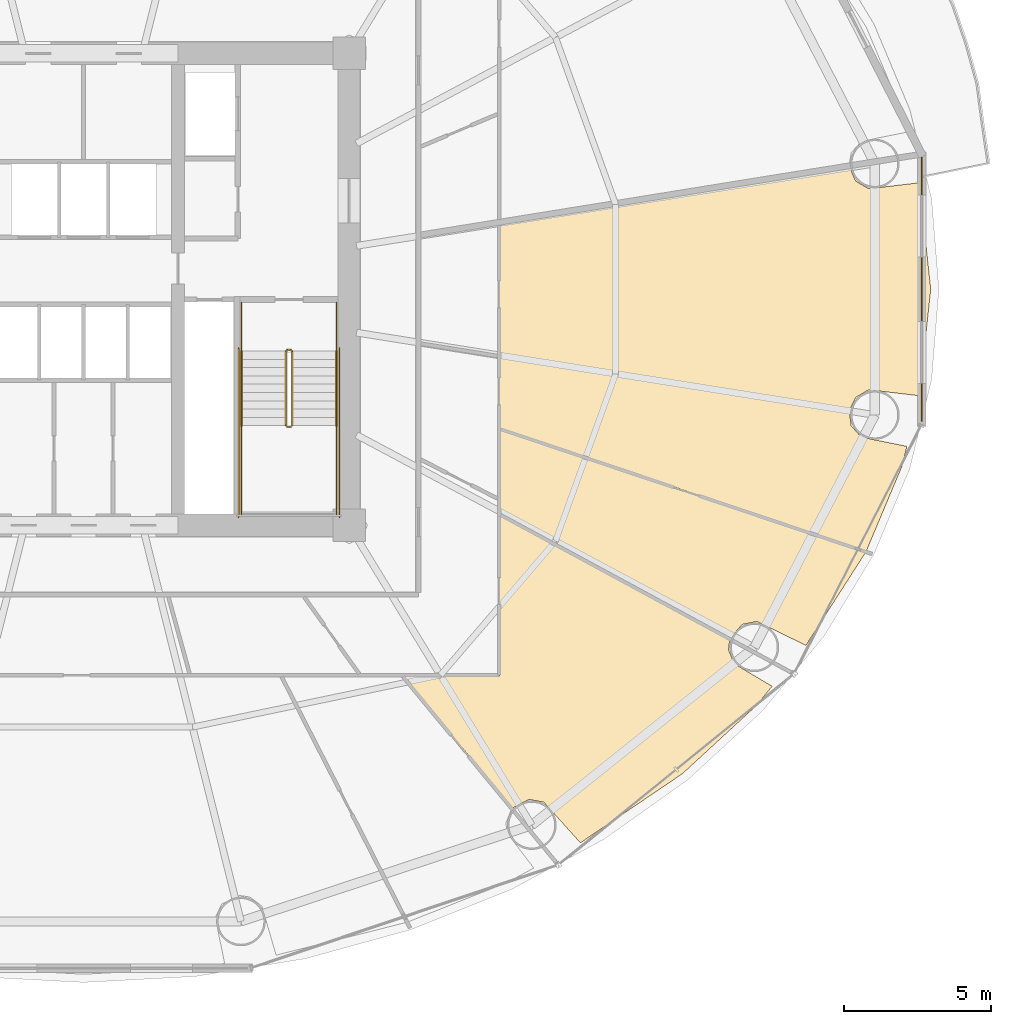
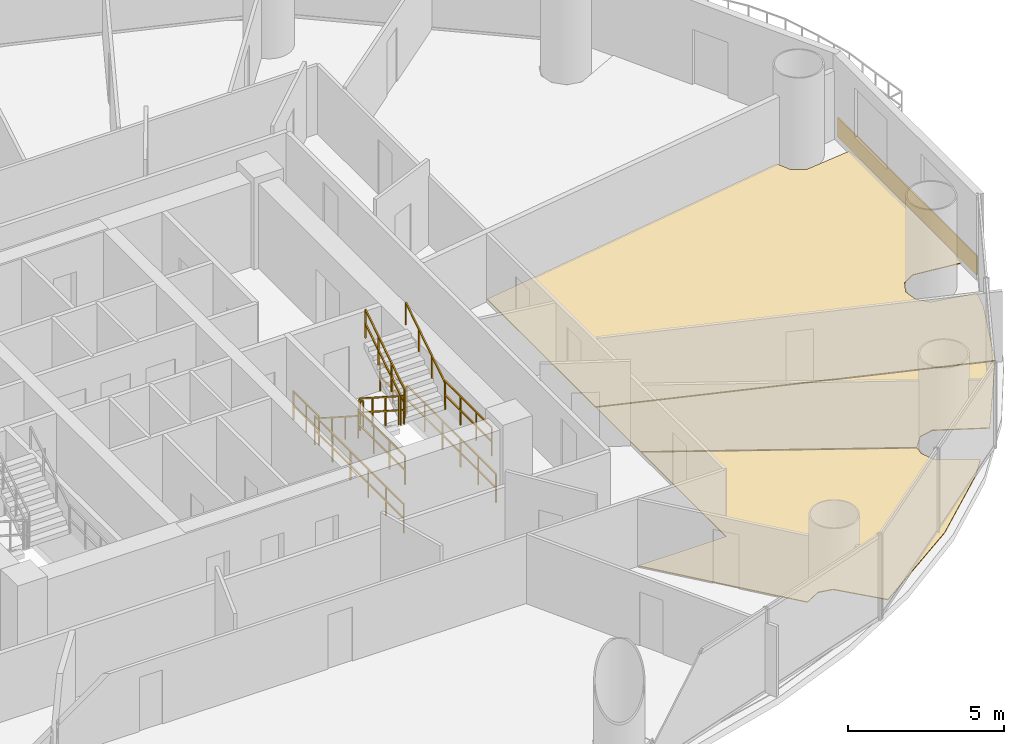
# One storey, part 27 of 28: 12 railings, 4 coverings.
"""IFC4 building model written with IfcOpenShell, lengths in metres."""

from ifc_helpers import new_model, si_unit, direction, frame, origin, origin_2d, place, context, subcontext, project, spatial, polyline, rectangle, outline, extrude, source, transform, mapped, material, layer, layer_set, type_object, element, save


model = new_model("IFC4")

# Units and contexts
model_context = context("Model", 3, precision=1e-05, world=origin(), true_north=direction((-0.2419218956, 0.970295726276)))
body_context = subcontext(model_context, "Body", "Model", "MODEL_VIEW")
ifc_project = project(units=[si_unit("LENGTHUNIT", "METRE"), si_unit("AREAUNIT", "SQUARE_METRE"), si_unit("VOLUMEUNIT", "CUBIC_METRE"), si_unit("PLANEANGLEUNIT", "RADIAN"), si_unit("MASSUNIT", "GRAM", prefix="KILO")], contexts=[model_context])

# Site, building, storey
site_placement = place(None, origin())
site = spatial("IfcSite", under=ifc_project, at=site_placement, CompositionType="ELEMENT")
building_placement = place(site_placement, origin())
building = spatial("IfcBuilding", under=site, at=building_placement, Name="Cobrevalo Terracotta Tower", CompositionType="ELEMENT")
storey_placement = place(building_placement, frame((0.0, 0.0, 42.0)))
storey = spatial("IfcBuildingStorey", under=building, at=storey_placement, Name="L10", CompositionType="ELEMENT", Elevation=42.0)

# Coverings
ifc_material_1 = material(Name="Engineered Brazilian hardwood flooring", Category="wood")
ifc_layer_1 = layer(ifc_material_1, 0.028076171875)
ifc_layer_set_1 = layer_set([ifc_layer_1], Name="Engineered Brazilian hardwood flooring")
covering_type_1 = type_object("IfcCoveringType", Name="Engineered Hardwood Suite Flooring 28", PredefinedType="FLOORING", material=ifc_layer_set_1)
covering_1_placement = place(storey_placement, origin())
element("IfcCovering", 1, at=covering_1_placement, inside=storey, type_object=covering_type_1, Name="Flat L10C Penthouse Family Lounge floor finish", PredefinedType="FLOORING", context=body_context, shape_type="SweptSolid", body=[
    extrude(outline(polyline([(58.3095703125, 10.38232421875), (54.843505859375, 8.03271484375), (53.6025390625, 9.412353515625), (53.100341796875, 9.50732421875), (52.531982421875, 9.20751953125), (48.831787109375, 13.695068359375), (52.10498046875, 13.695068359375), (52.10498046875, 19.14013671875), (59.90234375, 14.91796875), (59.864990234375, 14.573974609375), (60.060791015625, 14.10205078125), (61.34423828125, 13.341064453125), (60.786376953125, 12.666259765625), (58.3095703125, 10.38232421875)])), origin(), (0.0, 0.0, 1.0), 0.030029296875),
])
covering_2_placement = place(storey_placement, origin())
element("IfcCovering", 2, at=covering_2_placement, inside=storey, type_object=covering_type_1, Name="Flat L10C Principal Guest Bedroom floor finish", PredefinedType="FLOORING", context=body_context, shape_type="SweptSolid", body=[
    extrude(outline(polyline([(62.488037109375, 14.7255859375), (60.826416015625, 15.53662109375), (60.325439453125, 15.436767578125), (59.915283203125, 14.95654296875), (52.10498046875, 19.185546875), (52.10498046875, 22.04443359375), (64.5126953125, 17.8798828125), (62.488037109375, 14.7255859375)])), origin(), (0.0, 0.0, 1.0), 0.030029296875),
])
covering_3_placement = place(storey_placement, origin())
element("IfcCovering", 3, at=covering_3_placement, inside=storey, type_object=covering_type_1, Name="Flat L10C Penthouse Family Lounge floor finish", PredefinedType="FLOORING", context=body_context, shape_type="SweptSolid", body=[
    extrude(outline(polyline([(52.10498046875, 22.086669921875), (52.10498046875, 29.05322265625), (63.952880859375, 30.963134765625), (64.178466796875, 30.465087890625), (64.619384765625, 30.206787109375), (66.331298828125, 30.4111328125), (66.719970703125, 26.800048828125), (66.331298828125, 23.18896484375), (64.619384765625, 23.39306640625), (64.178466796875, 23.135009765625), (63.955322265625, 22.67529296875), (64.025146484375, 22.169189453125), (64.3642578125, 21.787109375), (65.909423828125, 21.473876953125), (65.74169921875, 20.791259765625), (64.531494140625, 17.91552734375), (52.10498046875, 22.086669921875)])), origin(), (0.0, 0.0, 1.0), 0.030029296875),
])

# Railings
ifc_material_2 = material(Name="Brushed stainless steel", Category="steel")
railing_type_1 = type_object("IfcRailingType", Name="Stainless Steel Stair Handrail 900", PredefinedType="HANDRAIL", material=ifc_material_2)
railing_1_placement = place(storey_placement, frame((43.35498046875, 24.699951171875, 0.179931640625)))
element("IfcRailing", 4, at=railing_1_placement, inside=storey, type_object=railing_type_1, Name="L10 ST-2 stair handrail 1", PredefinedType="HANDRAIL", context=body_context, shape_type="SweptSolid", body=[
    extrude(rectangle(XDim=0.048095703125, YDim=0.048095703125, at=origin_2d()), frame((0.0, 0.0, 0.8759765625), z_axis=(0.0, -0.841162588446, 0.540782303519), x_axis=(1.0, 0.0, 0.0)), (0.0, 0.0, 1.0), 2.995849609375),
    extrude(rectangle(XDim=0.0419921875, YDim=0.0419921875, at=origin_2d()), origin(), (0.0, 0.0, 1.0), 0.851806640625),
    extrude(rectangle(XDim=0.0419921875, YDim=0.0419921875, at=origin_2d()), frame((0.0, -0.840087890625, 0.5400390625)), (0.0, 0.0, 1.0), 0.851806640625),
    extrude(rectangle(XDim=0.0419921875, YDim=0.0419921875, at=origin_2d()), frame((0.0, -1.679931640625, 1.080078125)), (0.0, 0.0, 1.0), 0.851806640625),
    extrude(rectangle(XDim=0.0419921875, YDim=0.0419921875, at=origin_2d()), frame((0.0, -2.52001953125, 1.6201171875)), (0.0, 0.0, 1.0), 0.851806640625),
])
railing_2_placement = place(storey_placement, frame((46.574951171875, 22.179931640625, 1.97998046875)))
element("IfcRailing", 5, at=railing_2_placement, inside=storey, type_object=railing_type_1, Name="L10 ST-2 stair handrail 2", PredefinedType="HANDRAIL", context=body_context, shape_type="SweptSolid", body=[
    extrude(rectangle(XDim=0.048095703125, YDim=0.048095703125, at=origin_2d()), frame((0.0, 0.0, 0.8759765625), z_axis=(0.0, 0.841162588446, 0.540782303519), x_axis=(-1.0, 0.0, 0.0)), (0.0, 0.0, 1.0), 2.995849609375),
    extrude(rectangle(XDim=0.0419921875, YDim=0.0419921875, at=origin_2d()), origin(), (0.0, 0.0, 1.0), 0.851806640625),
    extrude(rectangle(XDim=0.0419921875, YDim=0.0419921875, at=origin_2d()), frame((0.0, 0.840087890625, 0.5400390625)), (0.0, 0.0, 1.0), 0.851806640625),
    extrude(rectangle(XDim=0.0419921875, YDim=0.0419921875, at=origin_2d()), frame((0.0, 1.679931640625, 1.080078125)), (0.0, 0.0, 1.0), 0.851806640625),
    extrude(rectangle(XDim=0.0419921875, YDim=0.0419921875, at=origin_2d()), frame((0.0, 2.52001953125, 1.6201171875)), (0.0, 0.0, 1.0), 0.851806640625),
])
ifc_material_3 = material(Name="Painted galvanized steel", Category="steel")
railing_type_2 = type_object("IfcRailingType", Name="Stair Well Guard Balustrade 1150", PredefinedType="GUARDRAIL", material=ifc_material_3)
railing_3_placement = place(storey_placement, frame((44.85498046875, 24.699951171875, 0.179931640625)))
element("IfcRailing", 6, at=railing_3_placement, inside=storey, type_object=railing_type_2, Name="L10 ST-2 stair guard 1", PredefinedType="GUARDRAIL", context=body_context, shape_type="SweptSolid", body=[
    extrude(rectangle(XDim=0.048095703125, YDim=0.048095703125, at=origin_2d()), frame((0.0, 0.0, 1.1259765625), z_axis=(0.0, -0.841162588446, 0.540782303519), x_axis=(1.0, 0.0, 0.0)), (0.0, 0.0, 1.0), 2.995849609375),
    extrude(rectangle(XDim=0.048095703125, YDim=0.048095703125, at=origin_2d()), frame((0.0, 0.0, 0.574951171875), z_axis=(0.0, -0.841162588446, 0.540782303519), x_axis=(1.0, 0.0, 0.0)), (0.0, 0.0, 1.0), 2.995849609375),
    extrude(rectangle(XDim=0.0419921875, YDim=0.0419921875, at=origin_2d()), origin(), (0.0, 0.0, 1.0), 1.101806640625),
    extrude(rectangle(XDim=0.0419921875, YDim=0.0419921875, at=origin_2d()), frame((0.0, -0.840087890625, 0.5400390625)), (0.0, 0.0, 1.0), 1.101806640625),
    extrude(rectangle(XDim=0.0419921875, YDim=0.0419921875, at=origin_2d()), frame((0.0, -1.679931640625, 1.080078125)), (0.0, 0.0, 1.0), 1.101806640625),
    extrude(rectangle(XDim=0.0419921875, YDim=0.0419921875, at=origin_2d()), frame((0.0, -2.52001953125, 1.6201171875)), (0.0, 0.0, 1.0), 1.101806640625),
])
railing_4_placement = place(storey_placement, frame((44.905029296875, 22.1298828125, 1.800048828125)))
element("IfcRailing", 7, at=railing_4_placement, inside=storey, type_object=railing_type_2, Name="L10 ST-2 stair guard 2", PredefinedType="GUARDRAIL", context=body_context, shape_type="SweptSolid", body=[
    extrude(rectangle(XDim=0.048095703125, YDim=0.048095703125, at=origin_2d()), frame((0.0, 0.0, 1.1259765625), z_axis=(1.0, 0.0, 0.0), x_axis=(0.0, 1.0, 0.0)), (0.0, 0.0, 1.0), 0.119873046875),
    extrude(rectangle(XDim=0.048095703125, YDim=0.048095703125, at=origin_2d()), frame((0.0, 0.0, 0.574951171875), z_axis=(1.0, 0.0, 0.0), x_axis=(0.0, 1.0, 0.0)), (0.0, 0.0, 1.0), 0.119873046875),
    extrude(rectangle(XDim=0.0419921875, YDim=0.0419921875, at=origin_2d()), origin(), (0.0, 0.0, 1.0), 1.101806640625),
    extrude(rectangle(XDim=0.0419921875, YDim=0.0419921875, at=origin_2d()), frame((0.119873046875, 0.0, 0.0)), (0.0, 0.0, 1.0), 1.101806640625),
])
for number, where, name in (
    (8, (43.35498046875, 22.179931640625, 1.800048828125), "L10 ST-2 stair guard 3"),
    (9, (46.574951171875, 22.179931640625, 1.800048828125), "L10 ST-2 stair guard 4"),
):
    element("IfcRailing", number, at=place(storey_placement, frame(where)), inside=storey, type_object=railing_type_2, Name=name, PredefinedType="GUARDRAIL", context=body_context, shape_type="SweptSolid", body=[
        extrude(rectangle(XDim=0.048095703125, YDim=0.048095703125, at=origin_2d()), frame((0.0, 0.0, 1.1259765625), z_axis=(0.0, -1.0, 0.0), x_axis=(1.0, 0.0, 0.0)), (0.0, 0.0, 1.0), 3.0048828125),
        extrude(rectangle(XDim=0.048095703125, YDim=0.048095703125, at=origin_2d()), frame((0.0, 0.0, 0.574951171875), z_axis=(0.0, -1.0, 0.0), x_axis=(1.0, 0.0, 0.0)), (0.0, 0.0, 1.0), 3.0048828125),
        extrude(rectangle(XDim=0.0419921875, YDim=0.0419921875, at=origin_2d()), origin(), (0.0, 0.0, 1.0), 1.101806640625),
        extrude(rectangle(XDim=0.0419921875, YDim=0.0419921875, at=origin_2d()), frame((0.0, -1.001708984375, 0.0)), (0.0, 0.0, 1.0), 1.101806640625),
        extrude(rectangle(XDim=0.0419921875, YDim=0.0419921875, at=origin_2d()), frame((0.0, -2.003173828125, 0.0)), (0.0, 0.0, 1.0), 1.101806640625),
        extrude(rectangle(XDim=0.0419921875, YDim=0.0419921875, at=origin_2d()), frame((0.0, -3.0048828125, 0.0)), (0.0, 0.0, 1.0), 1.101806640625),
    ])
railing_5_placement = place(storey_placement, frame((45.074951171875, 22.179931640625, 1.97998046875)))
element("IfcRailing", 10, at=railing_5_placement, inside=storey, type_object=railing_type_2, Name="L10 ST-2 stair guard 6", PredefinedType="GUARDRAIL", context=body_context, shape_type="SweptSolid", body=[
    extrude(rectangle(XDim=0.048095703125, YDim=0.048095703125, at=origin_2d()), frame((0.0, 0.0, 1.1259765625), z_axis=(0.0, 0.841162588446, 0.540782303519), x_axis=(-1.0, 0.0, 0.0)), (0.0, 0.0, 1.0), 2.995849609375),
    extrude(rectangle(XDim=0.048095703125, YDim=0.048095703125, at=origin_2d()), frame((0.0, 0.0, 0.574951171875), z_axis=(0.0, 0.841162588446, 0.540782303519), x_axis=(-1.0, 0.0, 0.0)), (0.0, 0.0, 1.0), 2.995849609375),
    extrude(rectangle(XDim=0.0419921875, YDim=0.0419921875, at=origin_2d()), origin(), (0.0, 0.0, 1.0), 1.101806640625),
    extrude(rectangle(XDim=0.0419921875, YDim=0.0419921875, at=origin_2d()), frame((0.0, 0.840087890625, 0.5400390625)), (0.0, 0.0, 1.0), 1.101806640625),
    extrude(rectangle(XDim=0.0419921875, YDim=0.0419921875, at=origin_2d()), frame((0.0, 1.679931640625, 1.080078125)), (0.0, 0.0, 1.0), 1.101806640625),
    extrude(rectangle(XDim=0.0419921875, YDim=0.0419921875, at=origin_2d()), frame((0.0, 2.52001953125, 1.6201171875)), (0.0, 0.0, 1.0), 1.101806640625),
])
railing_6_placement = place(storey_placement, frame((44.905029296875, 24.75, 0.0)))
element("IfcRailing", 11, at=railing_6_placement, inside=storey, type_object=railing_type_2, Name="L10 ST-2 stair guard 7", PredefinedType="GUARDRAIL", context=body_context, shape_type="SweptSolid", body=[
    extrude(rectangle(XDim=0.048095703125, YDim=0.048095703125, at=origin_2d()), frame((0.0, 0.0, 1.1259765625), z_axis=(1.0, 0.0, 0.0), x_axis=(0.0, 1.0, 0.0)), (0.0, 0.0, 1.0), 0.119873046875),
    extrude(rectangle(XDim=0.048095703125, YDim=0.048095703125, at=origin_2d()), frame((0.0, 0.0, 0.574951171875), z_axis=(1.0, 0.0, 0.0), x_axis=(0.0, 1.0, 0.0)), (0.0, 0.0, 1.0), 0.119873046875),
    extrude(rectangle(XDim=0.0419921875, YDim=0.0419921875, at=origin_2d()), origin(), (0.0, 0.0, 1.0), 1.101806640625),
    extrude(rectangle(XDim=0.0419921875, YDim=0.0419921875, at=origin_2d()), frame((0.119873046875, 0.0, 0.0)), (0.0, 0.0, 1.0), 1.101806640625),
])
for number, where, name in (
    (12, (43.35498046875, 26.35009765625, 0.0), "L10 ST-2 stair guard 8"),
    (13, (46.574951171875, 26.35009765625, 0.0), "L10 ST-2 stair guard 9"),
):
    element("IfcRailing", number, at=place(storey_placement, frame(where)), inside=storey, type_object=railing_type_2, Name=name, PredefinedType="GUARDRAIL", context=body_context, shape_type="SweptSolid", body=[
        extrude(rectangle(XDim=0.048095703125, YDim=0.048095703125, at=origin_2d()), frame((0.0, 0.0, 1.1259765625), z_axis=(0.0, -1.0, 0.0), x_axis=(1.0, 0.0, 0.0)), (0.0, 0.0, 1.0), 1.650146484375),
        extrude(rectangle(XDim=0.048095703125, YDim=0.048095703125, at=origin_2d()), frame((0.0, 0.0, 0.574951171875), z_axis=(0.0, -1.0, 0.0), x_axis=(1.0, 0.0, 0.0)), (0.0, 0.0, 1.0), 1.650146484375),
        extrude(rectangle(XDim=0.0419921875, YDim=0.0419921875, at=origin_2d()), origin(), (0.0, 0.0, 1.0), 1.101806640625),
        extrude(rectangle(XDim=0.0419921875, YDim=0.0419921875, at=origin_2d()), frame((0.0, -0.8251953125, 0.0)), (0.0, 0.0, 1.0), 1.101806640625),
        extrude(rectangle(XDim=0.0419921875, YDim=0.0419921875, at=origin_2d()), frame((0.0, -1.650146484375, 0.0)), (0.0, 0.0, 1.0), 1.101806640625),
    ])
for number, where, name in (
    (14, (43.2548828125, 24.800048828125, 0.0), "L10 ST-2 stair guard 10"),
    (15, (46.675048828125, 24.800048828125, 0.0), "L10 ST-2 stair guard 11"),
):
    element("IfcRailing", number, at=place(storey_placement, frame(where)), inside=storey, type_object=railing_type_2, Name=name, PredefinedType="GUARDRAIL", context=body_context, shape_type="SweptSolid", body=[
        extrude(rectangle(XDim=0.048095703125, YDim=0.048095703125, at=origin_2d()), frame((0.0, 0.0, 1.1259765625), z_axis=(0.0, -1.0, 0.0), x_axis=(1.0, 0.0, 0.0)), (0.0, 0.0, 1.0), 5.72509765625),
        extrude(rectangle(XDim=0.048095703125, YDim=0.048095703125, at=origin_2d()), frame((0.0, 0.0, 0.574951171875), z_axis=(0.0, -1.0, 0.0), x_axis=(1.0, 0.0, 0.0)), (0.0, 0.0, 1.0), 5.72509765625),
        extrude(rectangle(XDim=0.0419921875, YDim=0.0419921875, at=origin_2d()), origin(), (0.0, 0.0, 1.0), 1.101806640625),
        extrude(rectangle(XDim=0.0419921875, YDim=0.0419921875, at=origin_2d()), frame((0.0, -1.14501953125, 0.0)), (0.0, 0.0, 1.0), 1.101806640625),
        extrude(rectangle(XDim=0.0419921875, YDim=0.0419921875, at=origin_2d()), frame((0.0, -2.2900390625, 0.0)), (0.0, 0.0, 1.0), 1.101806640625),
        extrude(rectangle(XDim=0.0419921875, YDim=0.0419921875, at=origin_2d()), frame((0.0, -3.43505859375, 0.0)), (0.0, 0.0, 1.0), 1.101806640625),
        extrude(rectangle(XDim=0.0419921875, YDim=0.0419921875, at=origin_2d()), frame((0.0, -4.580078125, 0.0)), (0.0, 0.0, 1.0), 1.101806640625),
        extrude(rectangle(XDim=0.0419921875, YDim=0.0419921875, at=origin_2d()), frame((0.0, -5.72509765625, 0.0)), (0.0, 0.0, 1.0), 1.101806640625),
    ])

# Covering
ifc_material_4 = material(Name="Glazed terracotta facade cladding tile", Category="masonry")
ifc_layer_2 = layer(ifc_material_4, 0.044921875)
ifc_layer_set_2 = layer_set([ifc_layer_2], Name="Glazed terracotta facade cladding tile")
covering_type_2 = type_object("IfcCoveringType", Name="Architectural terracotta rainscreen spandrel cladding 45 mm", PredefinedType="CLADDING", material=ifc_layer_set_2)
shared_shape = source(origin(), body_context, "Body", "SweptSolid", [
    extrude(rectangle(XDim=8.95751953125, YDim=0.044921875, at=origin_2d()), origin(), (0.0, 0.0, 1.0), 0.760009765625),
])
covering_4_placement = place(storey_placement, frame((66.413330078125, 26.800048828125, 0.0400390625), z_axis=(0.0, 0.0, 1.0), x_axis=(0.0, 1.0, 0.0)))
element("IfcCovering", 16, at=covering_4_placement, inside=storey, type_object=covering_type_2, Name="L10 terracotta spandrel cladding S16", PredefinedType="CLADDING", context=body_context, shape_type="MappedRepresentation", body=[
    mapped(shared_shape, transform((0.0, 0.0, 0.0), scale=1.0)),
])

save(model, "model.ifc")
